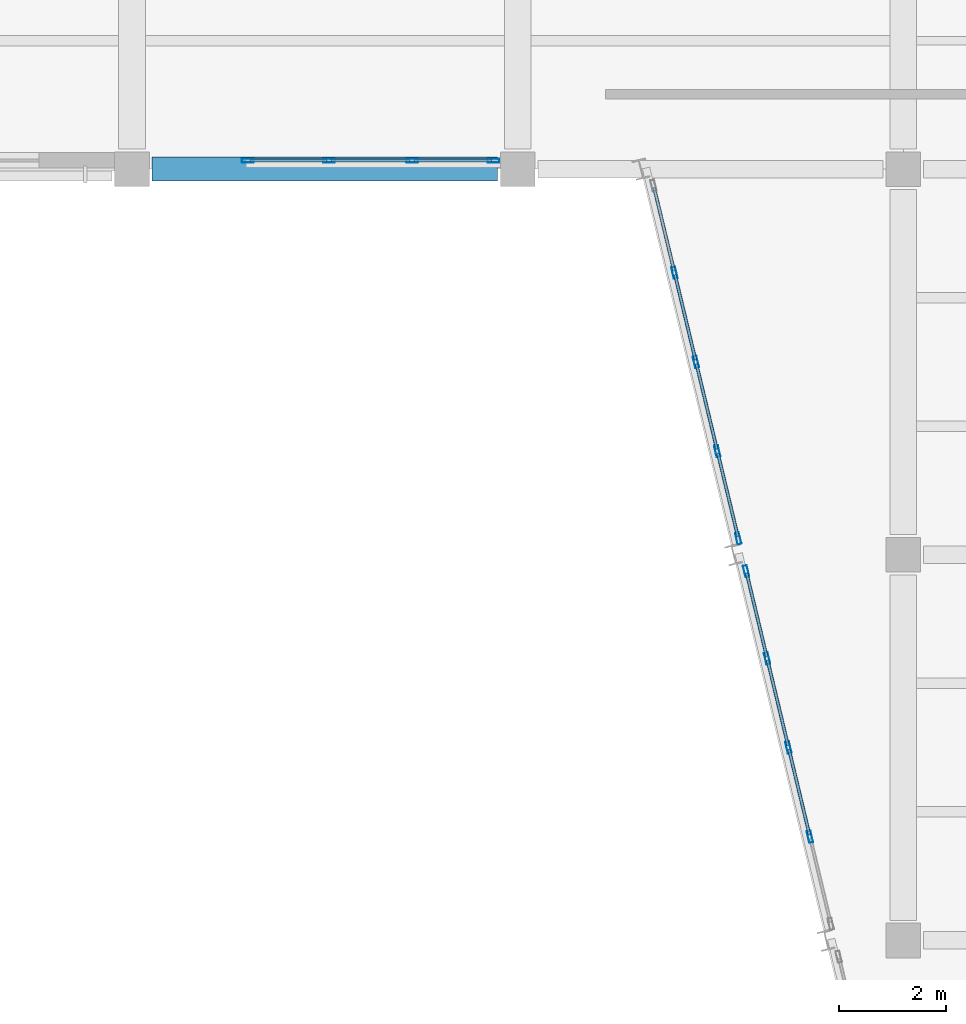
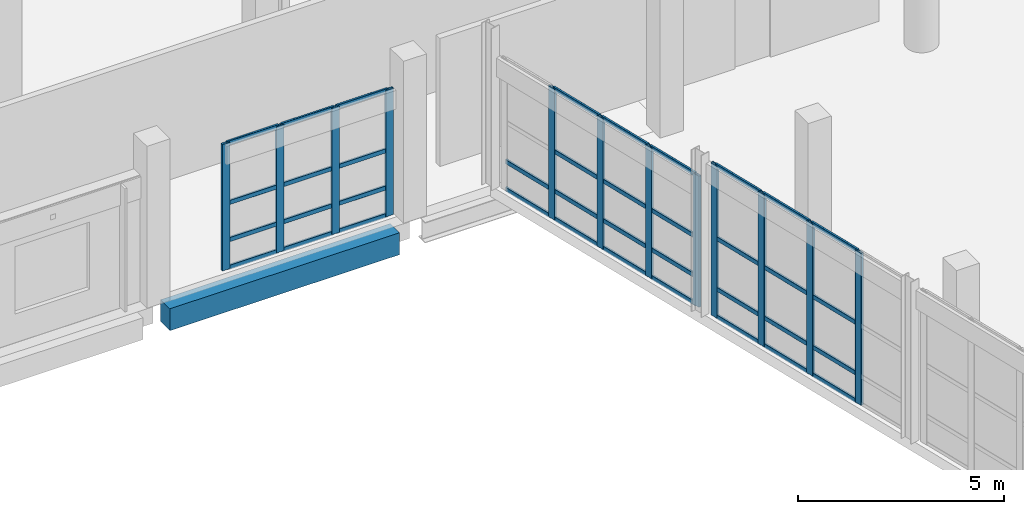
# One storey, part 57 of 127: 50 members, 1 beam, 3 elements without a shape of their own.
"""IFC4 building model written with IfcOpenShell, lengths in metres."""

from ifc_helpers import new_model, si_unit, direction, frame, origin, origin_2d, place, context, subcontext, project, spatial, rectangle, hollow_rectangle, extrude, material, material_profile, profile_set, type_object, element, aggregate, save


model = new_model("IFC4")

# Units and contexts
model_context = context("Model", 3, precision=1e-05, world=origin(), true_north=direction((0.0, 1.0)))
body_context = subcontext(model_context, "Body", "Model", "MODEL_VIEW")
ifc_project = project(units=[si_unit("LENGTHUNIT", "METRE"), si_unit("AREAUNIT", "SQUARE_METRE"), si_unit("VOLUMEUNIT", "CUBIC_METRE"), si_unit("PLANEANGLEUNIT", "RADIAN"), si_unit("MASSUNIT", "GRAM", prefix="KILO")], contexts=[model_context])

# Site, building, storey
site_placement = place(None, origin())
site = spatial("IfcSite", under=ifc_project, at=site_placement, CompositionType="ELEMENT")
building_placement = place(site_placement, origin())
building = spatial("IfcBuilding", under=site, at=building_placement, Name="Kalmorath City Hall", CompositionType="ELEMENT")
storey_placement = place(building_placement, frame((0.0, 0.0, 5.39990234375)))
storey = spatial("IfcBuildingStorey", under=building, at=storey_placement, Name="L01", CompositionType="ELEMENT", Elevation=5.39990234375)

# Beam
ifc_material_1 = material(Name="Concrete C40/50", Category="concrete")
ifc_material_profile_1 = material_profile(ifc_material_1, rectangle(XDim=0.449951171875, YDim=0.64990234375, at=origin_2d()), Name="RC-BM-450X650")
ifc_profile_set_1 = profile_set([ifc_material_profile_1], Name="Concrete C40/50")
beam_type = type_object("IfcBeamType", Name="Concrete spandrel beam 450x650", PredefinedType="SPANDREL", material=ifc_profile_set_1)
beam_placement = place(storey_placement, frame((115.574951171875, 93.60009765625, -0.64892578125), z_axis=(1.0, 0.0, 0.0), x_axis=(0.0, 1.0, 0.0)))
element("IfcBeam", 1, at=beam_placement, inside=storey, type_object=beam_type, Name="L01 girder CB5 X17-18/14", PredefinedType="SPANDREL", context=body_context, shape_type="SweptSolid", body=[
    extrude(rectangle(XDim=0.449951171875, YDim=0.64990234375, at=origin_2d()), origin(), (0.0, 0.0, 1.0), 6.449951171875),
])

# Curtain wall, members
ifc_material_2 = material(Name="Anodised aluminium and laminated glass", Category="aluminium")
curtain_wall_type_1 = type_object("IfcCurtainWallType", Name="Unitised hurricane curtain wall 6849x4520 M1650", PredefinedType="NOTDEFINED", material=ifc_material_2)
curtain_wall_1_placement = place(storey_placement, origin())
curtain_wall_1 = element("IfcCurtainWall", 2, at=curtain_wall_1_placement, inside=storey, type_object=curtain_wall_type_1, Name="L01 curtain wall CW-68X45M16 #99", PredefinedType="NOTDEFINED")
ifc_material_3 = material(Name="Anodised aluminium framing", Category="aluminium")
ifc_material_profile_2 = material_profile(ifc_material_3, hollow_rectangle(XDim=0.06005859375, YDim=0.1298828125, WallThickness=0.00341796875, InnerFilletRadius=0.00341796875, OuterFilletRadius=0.007080078125, at=origin_2d()), Name="ALU-TRN-130X60X3.5")
ifc_profile_set_2 = profile_set([ifc_material_profile_2], Name="Anodised aluminium framing")
member_type_1 = type_object("IfcMemberType", Name="Curtain-wall courtyard transom 130x60", PredefinedType="USERDEFINED", material=ifc_profile_set_2)
member_1_placement = place(storey_placement, frame((127.84814453125, 81.17138671875, 0.030029296875), z_axis=(-0.233508300868, 0.972354808404, 0.0), x_axis=(-0.972354808404, -0.233508300868, 0.0)))
member_1 = element("IfcMember", 3, at=member_1_placement, type_object=member_type_1, Name="CW-68X45M16 transom 2.1", ObjectType="TRANSOM", PredefinedType="USERDEFINED", context=body_context, shape_type="SweptSolid", body=[
    extrude(hollow_rectangle(XDim=0.06005859375, YDim=0.1298828125, WallThickness=0.00341796875, InnerFilletRadius=0.00341796875, OuterFilletRadius=0.007080078125, at=origin_2d()), origin(), (0.0, 0.0, 1.0), 1.63720703125),
])
member_2_placement = place(storey_placement, frame((127.84814453125, 81.17138671875, 0.85009765625), z_axis=(-0.233508300868, 0.972354808404, 0.0), x_axis=(-0.972354808404, -0.233508300868, 0.0)))
member_2 = element("IfcMember", 4, at=member_2_placement, type_object=member_type_1, Name="CW-68X45M16 transom 2.2", ObjectType="TRANSOM", PredefinedType="USERDEFINED", context=body_context, shape_type="SweptSolid", body=[
    extrude(hollow_rectangle(XDim=0.06005859375, YDim=0.1298828125, WallThickness=0.00341796875, InnerFilletRadius=0.00341796875, OuterFilletRadius=0.007080078125, at=origin_2d()), origin(), (0.0, 0.0, 1.0), 1.63720703125),
])
member_3_placement = place(storey_placement, frame((127.84814453125, 81.17138671875, 2.35009765625), z_axis=(-0.233508300868, 0.972354808404, 0.0), x_axis=(-0.972354808404, -0.233508300868, 0.0)))
member_3 = element("IfcMember", 5, at=member_3_placement, type_object=member_type_1, Name="CW-68X45M16 transom 2.3", ObjectType="TRANSOM", PredefinedType="USERDEFINED", context=body_context, shape_type="SweptSolid", body=[
    extrude(hollow_rectangle(XDim=0.06005859375, YDim=0.1298828125, WallThickness=0.00341796875, InnerFilletRadius=0.00341796875, OuterFilletRadius=0.007080078125, at=origin_2d()), origin(), (0.0, 0.0, 1.0), 1.63720703125),
])
member_4_placement = place(storey_placement, frame((127.84814453125, 81.17138671875, 4.489990234375), z_axis=(-0.233508300868, 0.972354808404, 0.0), x_axis=(-0.972354808404, -0.233508300868, 0.0)))
member_4 = element("IfcMember", 6, at=member_4_placement, type_object=member_type_1, Name="CW-68X45M16 transom 2.4", ObjectType="TRANSOM", PredefinedType="USERDEFINED", context=body_context, shape_type="SweptSolid", body=[
    extrude(hollow_rectangle(XDim=0.06005859375, YDim=0.1298828125, WallThickness=0.00341796875, InnerFilletRadius=0.00341796875, OuterFilletRadius=0.007080078125, at=origin_2d()), origin(), (0.0, 0.0, 1.0), 1.63720703125),
])
member_5_placement = place(storey_placement, frame((127.4482421875, 82.83642578125, 0.030029296875), z_axis=(-0.233367312665, 0.972388655518, 0.0), x_axis=(-0.972388655518, -0.233367312665, 0.0)))
member_5 = element("IfcMember", 7, at=member_5_placement, type_object=member_type_1, Name="CW-68X45M16 transom 3.1", ObjectType="TRANSOM", PredefinedType="USERDEFINED", context=body_context, shape_type="SweptSolid", body=[
    extrude(hollow_rectangle(XDim=0.06005859375, YDim=0.1298828125, WallThickness=0.00341796875, InnerFilletRadius=0.00341796875, OuterFilletRadius=0.007080078125, at=origin_2d()), origin(), (0.0, 0.0, 1.0), 1.63720703125),
])
member_6_placement = place(storey_placement, frame((127.4482421875, 82.83642578125, 0.85009765625), z_axis=(-0.233367312665, 0.972388655518, 0.0), x_axis=(-0.972388655518, -0.233367312665, 0.0)))
member_6 = element("IfcMember", 8, at=member_6_placement, type_object=member_type_1, Name="CW-68X45M16 transom 3.2", ObjectType="TRANSOM", PredefinedType="USERDEFINED", context=body_context, shape_type="SweptSolid", body=[
    extrude(hollow_rectangle(XDim=0.06005859375, YDim=0.1298828125, WallThickness=0.00341796875, InnerFilletRadius=0.00341796875, OuterFilletRadius=0.007080078125, at=origin_2d()), origin(), (0.0, 0.0, 1.0), 1.63720703125),
])
member_7_placement = place(storey_placement, frame((127.4482421875, 82.83642578125, 2.35009765625), z_axis=(-0.233367312665, 0.972388655518, 0.0), x_axis=(-0.972388655518, -0.233367312665, 0.0)))
member_7 = element("IfcMember", 9, at=member_7_placement, type_object=member_type_1, Name="CW-68X45M16 transom 3.3", ObjectType="TRANSOM", PredefinedType="USERDEFINED", context=body_context, shape_type="SweptSolid", body=[
    extrude(hollow_rectangle(XDim=0.06005859375, YDim=0.1298828125, WallThickness=0.00341796875, InnerFilletRadius=0.00341796875, OuterFilletRadius=0.007080078125, at=origin_2d()), origin(), (0.0, 0.0, 1.0), 1.63720703125),
])
member_8_placement = place(storey_placement, frame((127.4482421875, 82.83642578125, 4.489990234375), z_axis=(-0.233367312665, 0.972388655518, 0.0), x_axis=(-0.972388655518, -0.233367312665, 0.0)))
member_8 = element("IfcMember", 10, at=member_8_placement, type_object=member_type_1, Name="CW-68X45M16 transom 3.4", ObjectType="TRANSOM", PredefinedType="USERDEFINED", context=body_context, shape_type="SweptSolid", body=[
    extrude(hollow_rectangle(XDim=0.06005859375, YDim=0.1298828125, WallThickness=0.00341796875, InnerFilletRadius=0.00341796875, OuterFilletRadius=0.007080078125, at=origin_2d()), origin(), (0.0, 0.0, 1.0), 1.63720703125),
])
member_9_placement = place(storey_placement, frame((127.048583984375, 84.50146484375, 0.030029296875), z_axis=(-0.233476838675, 0.972362363423, 0.0), x_axis=(-0.972362363423, -0.233476838675, 0.0)))
member_9 = element("IfcMember", 11, at=member_9_placement, type_object=member_type_1, Name="CW-68X45M16 transom 4.1", ObjectType="TRANSOM", PredefinedType="USERDEFINED", context=body_context, shape_type="SweptSolid", body=[
    extrude(hollow_rectangle(XDim=0.06005859375, YDim=0.1298828125, WallThickness=0.00341796875, InnerFilletRadius=0.00341796875, OuterFilletRadius=0.007080078125, at=origin_2d()), origin(), (0.0, 0.0, 1.0), 1.599853515625),
])
member_10_placement = place(storey_placement, frame((127.048583984375, 84.50146484375, 0.85009765625), z_axis=(-0.233476838675, 0.972362363423, 0.0), x_axis=(-0.972362363423, -0.233476838675, 0.0)))
member_10 = element("IfcMember", 12, at=member_10_placement, type_object=member_type_1, Name="CW-68X45M16 transom 4.2", ObjectType="TRANSOM", PredefinedType="USERDEFINED", context=body_context, shape_type="SweptSolid", body=[
    extrude(hollow_rectangle(XDim=0.06005859375, YDim=0.1298828125, WallThickness=0.00341796875, InnerFilletRadius=0.00341796875, OuterFilletRadius=0.007080078125, at=origin_2d()), origin(), (0.0, 0.0, 1.0), 1.599853515625),
])
member_11_placement = place(storey_placement, frame((127.048583984375, 84.50146484375, 2.35009765625), z_axis=(-0.233476838675, 0.972362363423, 0.0), x_axis=(-0.972362363423, -0.233476838675, 0.0)))
member_11 = element("IfcMember", 13, at=member_11_placement, type_object=member_type_1, Name="CW-68X45M16 transom 4.3", ObjectType="TRANSOM", PredefinedType="USERDEFINED", context=body_context, shape_type="SweptSolid", body=[
    extrude(hollow_rectangle(XDim=0.06005859375, YDim=0.1298828125, WallThickness=0.00341796875, InnerFilletRadius=0.00341796875, OuterFilletRadius=0.007080078125, at=origin_2d()), origin(), (0.0, 0.0, 1.0), 1.599853515625),
])
member_12_placement = place(storey_placement, frame((127.048583984375, 84.50146484375, 4.489990234375), z_axis=(-0.233476838675, 0.972362363423, 0.0), x_axis=(-0.972362363423, -0.233476838675, 0.0)))
member_12 = element("IfcMember", 14, at=member_12_placement, type_object=member_type_1, Name="CW-68X45M16 transom 4.4", ObjectType="TRANSOM", PredefinedType="USERDEFINED", context=body_context, shape_type="SweptSolid", body=[
    extrude(hollow_rectangle(XDim=0.06005859375, YDim=0.1298828125, WallThickness=0.00341796875, InnerFilletRadius=0.00341796875, OuterFilletRadius=0.007080078125, at=origin_2d()), origin(), (0.0, 0.0, 1.0), 1.599853515625),
])

ifc_material_4 = material(Name="Anodised aluminium and laminated glass", Category="aluminium")
curtain_wall_type_2 = type_object("IfcCurtainWallType", Name="Unitised hurricane curtain wall 6849x3889 M1650", PredefinedType="NOTDEFINED", material=ifc_material_4)
curtain_wall_2_placement = place(storey_placement, origin())
curtain_wall_2 = element("IfcCurtainWall", 15, at=curtain_wall_2_placement, inside=storey, type_object=curtain_wall_type_2, Name="L01 curtain wall CW-68X39M16 #100", PredefinedType="NOTDEFINED")
member_13_placement = place(storey_placement, frame((126.510498046875, 86.742919921875, 0.030029296875), z_axis=(-0.233476838675, 0.972362363423, 0.0), x_axis=(-0.972362363423, -0.233476838675, 0.0)))
member_13 = element("IfcMember", 16, at=member_13_placement, type_object=member_type_1, Name="CW-68X39M16 transom 1.1", ObjectType="TRANSOM", PredefinedType="USERDEFINED", context=body_context, shape_type="SweptSolid", body=[
    extrude(hollow_rectangle(XDim=0.06005859375, YDim=0.1298828125, WallThickness=0.00341796875, InnerFilletRadius=0.00341796875, OuterFilletRadius=0.007080078125, at=origin_2d()), origin(), (0.0, 0.0, 1.0), 1.599853515625),
])
member_14_placement = place(storey_placement, frame((126.510498046875, 86.742919921875, 0.85009765625), z_axis=(-0.233476838675, 0.972362363423, 0.0), x_axis=(-0.972362363423, -0.233476838675, 0.0)))
member_14 = element("IfcMember", 17, at=member_14_placement, type_object=member_type_1, Name="CW-68X39M16 transom 1.2", ObjectType="TRANSOM", PredefinedType="USERDEFINED", context=body_context, shape_type="SweptSolid", body=[
    extrude(hollow_rectangle(XDim=0.06005859375, YDim=0.1298828125, WallThickness=0.00341796875, InnerFilletRadius=0.00341796875, OuterFilletRadius=0.007080078125, at=origin_2d()), origin(), (0.0, 0.0, 1.0), 1.599853515625),
])
member_15_placement = place(storey_placement, frame((126.510498046875, 86.742919921875, 2.022216796875), z_axis=(-0.233476838675, 0.972362363423, 0.0), x_axis=(-0.972362363423, -0.233476838675, 0.0)))
member_15 = element("IfcMember", 18, at=member_15_placement, type_object=member_type_1, Name="CW-68X39M16 transom 1.3", ObjectType="TRANSOM", PredefinedType="USERDEFINED", context=body_context, shape_type="SweptSolid", body=[
    extrude(hollow_rectangle(XDim=0.06005859375, YDim=0.1298828125, WallThickness=0.00341796875, InnerFilletRadius=0.00341796875, OuterFilletRadius=0.007080078125, at=origin_2d()), origin(), (0.0, 0.0, 1.0), 1.599853515625),
])
member_16_placement = place(storey_placement, frame((126.510498046875, 86.742919921875, 3.859130859375), z_axis=(-0.233476838675, 0.972362363423, 0.0), x_axis=(-0.972362363423, -0.233476838675, 0.0)))
member_16 = element("IfcMember", 19, at=member_16_placement, type_object=member_type_1, Name="CW-68X39M16 transom 1.4", ObjectType="TRANSOM", PredefinedType="USERDEFINED", context=body_context, shape_type="SweptSolid", body=[
    extrude(hollow_rectangle(XDim=0.06005859375, YDim=0.1298828125, WallThickness=0.00341796875, InnerFilletRadius=0.00341796875, OuterFilletRadius=0.007080078125, at=origin_2d()), origin(), (0.0, 0.0, 1.0), 1.599853515625),
])
member_17_placement = place(storey_placement, frame((126.119384765625, 88.37158203125, 0.030029296875), z_axis=(-0.233367312665, 0.972388655518, 0.0), x_axis=(-0.972388655518, -0.233367312665, 0.0)))
member_17 = element("IfcMember", 20, at=member_17_placement, type_object=member_type_1, Name="CW-68X39M16 transom 2.1", ObjectType="TRANSOM", PredefinedType="USERDEFINED", context=body_context, shape_type="SweptSolid", body=[
    extrude(hollow_rectangle(XDim=0.06005859375, YDim=0.1298828125, WallThickness=0.00341796875, InnerFilletRadius=0.00341796875, OuterFilletRadius=0.007080078125, at=origin_2d()), origin(), (0.0, 0.0, 1.0), 1.63720703125),
])
member_18_placement = place(storey_placement, frame((126.119384765625, 88.37158203125, 0.85009765625), z_axis=(-0.233367312665, 0.972388655518, 0.0), x_axis=(-0.972388655518, -0.233367312665, 0.0)))
member_18 = element("IfcMember", 21, at=member_18_placement, type_object=member_type_1, Name="CW-68X39M16 transom 2.2", ObjectType="TRANSOM", PredefinedType="USERDEFINED", context=body_context, shape_type="SweptSolid", body=[
    extrude(hollow_rectangle(XDim=0.06005859375, YDim=0.1298828125, WallThickness=0.00341796875, InnerFilletRadius=0.00341796875, OuterFilletRadius=0.007080078125, at=origin_2d()), origin(), (0.0, 0.0, 1.0), 1.63720703125),
])
member_19_placement = place(storey_placement, frame((126.119384765625, 88.37158203125, 2.022216796875), z_axis=(-0.233367312665, 0.972388655518, 0.0), x_axis=(-0.972388655518, -0.233367312665, 0.0)))
member_19 = element("IfcMember", 22, at=member_19_placement, type_object=member_type_1, Name="CW-68X39M16 transom 2.3", ObjectType="TRANSOM", PredefinedType="USERDEFINED", context=body_context, shape_type="SweptSolid", body=[
    extrude(hollow_rectangle(XDim=0.06005859375, YDim=0.1298828125, WallThickness=0.00341796875, InnerFilletRadius=0.00341796875, OuterFilletRadius=0.007080078125, at=origin_2d()), origin(), (0.0, 0.0, 1.0), 1.63720703125),
])
member_20_placement = place(storey_placement, frame((126.119384765625, 88.37158203125, 3.859130859375), z_axis=(-0.233367312665, 0.972388655518, 0.0), x_axis=(-0.972388655518, -0.233367312665, 0.0)))
member_20 = element("IfcMember", 23, at=member_20_placement, type_object=member_type_1, Name="CW-68X39M16 transom 2.4", ObjectType="TRANSOM", PredefinedType="USERDEFINED", context=body_context, shape_type="SweptSolid", body=[
    extrude(hollow_rectangle(XDim=0.06005859375, YDim=0.1298828125, WallThickness=0.00341796875, InnerFilletRadius=0.00341796875, OuterFilletRadius=0.007080078125, at=origin_2d()), origin(), (0.0, 0.0, 1.0), 1.63720703125),
])
member_21_placement = place(storey_placement, frame((125.7197265625, 90.036376953125, 0.030029296875), z_axis=(-0.233508300868, 0.972354808404, 0.0), x_axis=(-0.972354808404, -0.233508300868, 0.0)))
member_21 = element("IfcMember", 24, at=member_21_placement, type_object=member_type_1, Name="CW-68X39M16 transom 3.1", ObjectType="TRANSOM", PredefinedType="USERDEFINED", context=body_context, shape_type="SweptSolid", body=[
    extrude(hollow_rectangle(XDim=0.06005859375, YDim=0.1298828125, WallThickness=0.00341796875, InnerFilletRadius=0.00341796875, OuterFilletRadius=0.007080078125, at=origin_2d()), origin(), (0.0, 0.0, 1.0), 1.63720703125),
])
member_22_placement = place(storey_placement, frame((125.7197265625, 90.036376953125, 0.85009765625), z_axis=(-0.233508300868, 0.972354808404, 0.0), x_axis=(-0.972354808404, -0.233508300868, 0.0)))
member_22 = element("IfcMember", 25, at=member_22_placement, type_object=member_type_1, Name="CW-68X39M16 transom 3.2", ObjectType="TRANSOM", PredefinedType="USERDEFINED", context=body_context, shape_type="SweptSolid", body=[
    extrude(hollow_rectangle(XDim=0.06005859375, YDim=0.1298828125, WallThickness=0.00341796875, InnerFilletRadius=0.00341796875, OuterFilletRadius=0.007080078125, at=origin_2d()), origin(), (0.0, 0.0, 1.0), 1.63720703125),
])
member_23_placement = place(storey_placement, frame((125.7197265625, 90.036376953125, 2.022216796875), z_axis=(-0.233508300868, 0.972354808404, 0.0), x_axis=(-0.972354808404, -0.233508300868, 0.0)))
member_23 = element("IfcMember", 26, at=member_23_placement, type_object=member_type_1, Name="CW-68X39M16 transom 3.3", ObjectType="TRANSOM", PredefinedType="USERDEFINED", context=body_context, shape_type="SweptSolid", body=[
    extrude(hollow_rectangle(XDim=0.06005859375, YDim=0.1298828125, WallThickness=0.00341796875, InnerFilletRadius=0.00341796875, OuterFilletRadius=0.007080078125, at=origin_2d()), origin(), (0.0, 0.0, 1.0), 1.63720703125),
])
member_24_placement = place(storey_placement, frame((125.7197265625, 90.036376953125, 3.859130859375), z_axis=(-0.233508300868, 0.972354808404, 0.0), x_axis=(-0.972354808404, -0.233508300868, 0.0)))
member_24 = element("IfcMember", 27, at=member_24_placement, type_object=member_type_1, Name="CW-68X39M16 transom 3.4", ObjectType="TRANSOM", PredefinedType="USERDEFINED", context=body_context, shape_type="SweptSolid", body=[
    extrude(hollow_rectangle(XDim=0.06005859375, YDim=0.1298828125, WallThickness=0.00341796875, InnerFilletRadius=0.00341796875, OuterFilletRadius=0.007080078125, at=origin_2d()), origin(), (0.0, 0.0, 1.0), 1.63720703125),
])
member_25_placement = place(storey_placement, frame((125.320068359375, 91.701416015625, 0.030029296875), z_axis=(-0.233476838675, 0.972362363423, 0.0), x_axis=(-0.972362363423, -0.233476838675, 0.0)))
member_25 = element("IfcMember", 28, at=member_25_placement, type_object=member_type_1, Name="CW-68X39M16 transom 4.1", ObjectType="TRANSOM", PredefinedType="USERDEFINED", context=body_context, shape_type="SweptSolid", body=[
    extrude(hollow_rectangle(XDim=0.06005859375, YDim=0.1298828125, WallThickness=0.00341796875, InnerFilletRadius=0.00341796875, OuterFilletRadius=0.007080078125, at=origin_2d()), origin(), (0.0, 0.0, 1.0), 1.599853515625),
])
member_26_placement = place(storey_placement, frame((125.320068359375, 91.701416015625, 0.85009765625), z_axis=(-0.233476838675, 0.972362363423, 0.0), x_axis=(-0.972362363423, -0.233476838675, 0.0)))
member_26 = element("IfcMember", 29, at=member_26_placement, type_object=member_type_1, Name="CW-68X39M16 transom 4.2", ObjectType="TRANSOM", PredefinedType="USERDEFINED", context=body_context, shape_type="SweptSolid", body=[
    extrude(hollow_rectangle(XDim=0.06005859375, YDim=0.1298828125, WallThickness=0.00341796875, InnerFilletRadius=0.00341796875, OuterFilletRadius=0.007080078125, at=origin_2d()), origin(), (0.0, 0.0, 1.0), 1.599853515625),
])

ifc_material_5 = material(Name="Anodised aluminium and laminated glass", Category="aluminium")
curtain_wall_type_3 = type_object("IfcCurtainWallType", Name="Unitised hurricane curtain wall 4662x3751 M1650", PredefinedType="NOTDEFINED", material=ifc_material_5)
curtain_wall_3_placement = place(storey_placement, origin())
curtain_wall_3 = element("IfcCurtainWall", 30, at=curtain_wall_3_placement, inside=storey, type_object=curtain_wall_type_3, Name="L01 curtain wall CW-47X38M16 #101", PredefinedType="NOTDEFINED")
member_27_placement = place(storey_placement, frame((121.909912109375, 93.760009765625, 0.030029296875), z_axis=(-1.0, 0.0, 0.0), x_axis=(0.0, -1.0, 0.0)))
member_27 = element("IfcMember", 31, at=member_27_placement, type_object=member_type_1, Name="CW-47X38M16 transom 1.1", ObjectType="TRANSOM", PredefinedType="USERDEFINED", context=body_context, shape_type="SweptSolid", body=[
    extrude(hollow_rectangle(XDim=0.06005859375, YDim=0.1298828125, WallThickness=0.00341796875, InnerFilletRadius=0.00341796875, OuterFilletRadius=0.007080078125, at=origin_2d()), origin(), (0.0, 0.0, 1.0), 1.44140625),
])
member_28_placement = place(storey_placement, frame((121.909912109375, 93.760009765625, 0.85009765625), z_axis=(-1.0, 0.0, 0.0), x_axis=(0.0, -1.0, 0.0)))
member_28 = element("IfcMember", 32, at=member_28_placement, type_object=member_type_1, Name="CW-47X38M16 transom 1.2", ObjectType="TRANSOM", PredefinedType="USERDEFINED", context=body_context, shape_type="SweptSolid", body=[
    extrude(hollow_rectangle(XDim=0.06005859375, YDim=0.1298828125, WallThickness=0.00341796875, InnerFilletRadius=0.00341796875, OuterFilletRadius=0.007080078125, at=origin_2d()), origin(), (0.0, 0.0, 1.0), 1.44140625),
])
member_29_placement = place(storey_placement, frame((121.909912109375, 93.760009765625, 1.951171875), z_axis=(-1.0, 0.0, 0.0), x_axis=(0.0, -1.0, 0.0)))
member_29 = element("IfcMember", 33, at=member_29_placement, type_object=member_type_1, Name="CW-47X38M16 transom 1.3", ObjectType="TRANSOM", PredefinedType="USERDEFINED", context=body_context, shape_type="SweptSolid", body=[
    extrude(hollow_rectangle(XDim=0.06005859375, YDim=0.1298828125, WallThickness=0.00341796875, InnerFilletRadius=0.00341796875, OuterFilletRadius=0.007080078125, at=origin_2d()), origin(), (0.0, 0.0, 1.0), 1.44140625),
])
member_30_placement = place(storey_placement, frame((121.909912109375, 93.760009765625, 3.72119140625), z_axis=(-1.0, 0.0, 0.0), x_axis=(0.0, -1.0, 0.0)))
member_30 = element("IfcMember", 34, at=member_30_placement, type_object=member_type_1, Name="CW-47X38M16 transom 1.4", ObjectType="TRANSOM", PredefinedType="USERDEFINED", context=body_context, shape_type="SweptSolid", body=[
    extrude(hollow_rectangle(XDim=0.06005859375, YDim=0.1298828125, WallThickness=0.00341796875, InnerFilletRadius=0.00341796875, OuterFilletRadius=0.007080078125, at=origin_2d()), origin(), (0.0, 0.0, 1.0), 1.44140625),
])
member_31_placement = place(storey_placement, frame((120.393310546875, 93.760009765625, 0.030029296875), z_axis=(-1.0, 0.0, 0.0), x_axis=(0.0, -1.0, 0.0)))
member_31 = element("IfcMember", 35, at=member_31_placement, type_object=member_type_1, Name="CW-47X38M16 transom 2.1", ObjectType="TRANSOM", PredefinedType="USERDEFINED", context=body_context, shape_type="SweptSolid", body=[
    extrude(hollow_rectangle(XDim=0.06005859375, YDim=0.1298828125, WallThickness=0.00341796875, InnerFilletRadius=0.00341796875, OuterFilletRadius=0.007080078125, at=origin_2d()), origin(), (0.0, 0.0, 1.0), 1.47900390625),
])
member_32_placement = place(storey_placement, frame((120.393310546875, 93.760009765625, 0.85009765625), z_axis=(-1.0, 0.0, 0.0), x_axis=(0.0, -1.0, 0.0)))
member_32 = element("IfcMember", 36, at=member_32_placement, type_object=member_type_1, Name="CW-47X38M16 transom 2.2", ObjectType="TRANSOM", PredefinedType="USERDEFINED", context=body_context, shape_type="SweptSolid", body=[
    extrude(hollow_rectangle(XDim=0.06005859375, YDim=0.1298828125, WallThickness=0.00341796875, InnerFilletRadius=0.00341796875, OuterFilletRadius=0.007080078125, at=origin_2d()), origin(), (0.0, 0.0, 1.0), 1.47900390625),
])
member_33_placement = place(storey_placement, frame((120.393310546875, 93.760009765625, 1.951171875), z_axis=(-1.0, 0.0, 0.0), x_axis=(0.0, -1.0, 0.0)))
member_33 = element("IfcMember", 37, at=member_33_placement, type_object=member_type_1, Name="CW-47X38M16 transom 2.3", ObjectType="TRANSOM", PredefinedType="USERDEFINED", context=body_context, shape_type="SweptSolid", body=[
    extrude(hollow_rectangle(XDim=0.06005859375, YDim=0.1298828125, WallThickness=0.00341796875, InnerFilletRadius=0.00341796875, OuterFilletRadius=0.007080078125, at=origin_2d()), origin(), (0.0, 0.0, 1.0), 1.47900390625),
])
member_34_placement = place(storey_placement, frame((120.393310546875, 93.760009765625, 3.72119140625), z_axis=(-1.0, 0.0, 0.0), x_axis=(0.0, -1.0, 0.0)))
member_34 = element("IfcMember", 38, at=member_34_placement, type_object=member_type_1, Name="CW-47X38M16 transom 2.4", ObjectType="TRANSOM", PredefinedType="USERDEFINED", context=body_context, shape_type="SweptSolid", body=[
    extrude(hollow_rectangle(XDim=0.06005859375, YDim=0.1298828125, WallThickness=0.00341796875, InnerFilletRadius=0.00341796875, OuterFilletRadius=0.007080078125, at=origin_2d()), origin(), (0.0, 0.0, 1.0), 1.47900390625),
])
member_35_placement = place(storey_placement, frame((118.83935546875, 93.760009765625, 0.030029296875), z_axis=(-1.0, 0.0, 0.0), x_axis=(0.0, -1.0, 0.0)))
member_35 = element("IfcMember", 39, at=member_35_placement, type_object=member_type_1, Name="CW-47X38M16 transom 3.1", ObjectType="TRANSOM", PredefinedType="USERDEFINED", context=body_context, shape_type="SweptSolid", body=[
    extrude(hollow_rectangle(XDim=0.06005859375, YDim=0.1298828125, WallThickness=0.00341796875, InnerFilletRadius=0.00341796875, OuterFilletRadius=0.007080078125, at=origin_2d()), origin(), (0.0, 0.0, 1.0), 1.441650390625),
])
member_36_placement = place(storey_placement, frame((118.83935546875, 93.760009765625, 0.85009765625), z_axis=(-1.0, 0.0, 0.0), x_axis=(0.0, -1.0, 0.0)))
member_36 = element("IfcMember", 40, at=member_36_placement, type_object=member_type_1, Name="CW-47X38M16 transom 3.2", ObjectType="TRANSOM", PredefinedType="USERDEFINED", context=body_context, shape_type="SweptSolid", body=[
    extrude(hollow_rectangle(XDim=0.06005859375, YDim=0.1298828125, WallThickness=0.00341796875, InnerFilletRadius=0.00341796875, OuterFilletRadius=0.007080078125, at=origin_2d()), origin(), (0.0, 0.0, 1.0), 1.441650390625),
])
member_37_placement = place(storey_placement, frame((118.83935546875, 93.760009765625, 1.951171875), z_axis=(-1.0, 0.0, 0.0), x_axis=(0.0, -1.0, 0.0)))
member_37 = element("IfcMember", 41, at=member_37_placement, type_object=member_type_1, Name="CW-47X38M16 transom 3.3", ObjectType="TRANSOM", PredefinedType="USERDEFINED", context=body_context, shape_type="SweptSolid", body=[
    extrude(hollow_rectangle(XDim=0.06005859375, YDim=0.1298828125, WallThickness=0.00341796875, InnerFilletRadius=0.00341796875, OuterFilletRadius=0.007080078125, at=origin_2d()), origin(), (0.0, 0.0, 1.0), 1.441650390625),
])
member_38_placement = place(storey_placement, frame((118.83935546875, 93.760009765625, 3.72119140625), z_axis=(-1.0, 0.0, 0.0), x_axis=(0.0, -1.0, 0.0)))
member_38 = element("IfcMember", 42, at=member_38_placement, type_object=member_type_1, Name="CW-47X38M16 transom 3.4", ObjectType="TRANSOM", PredefinedType="USERDEFINED", context=body_context, shape_type="SweptSolid", body=[
    extrude(hollow_rectangle(XDim=0.06005859375, YDim=0.1298828125, WallThickness=0.00341796875, InnerFilletRadius=0.00341796875, OuterFilletRadius=0.007080078125, at=origin_2d()), origin(), (0.0, 0.0, 1.0), 1.441650390625),
])

# Member
ifc_material_6 = material(Name="Anodised aluminium framing", Category="aluminium")
ifc_material_profile_3 = material_profile(ifc_material_6, hollow_rectangle(XDim=0.074951171875, YDim=0.219970703125, WallThickness=0.00390625, InnerFilletRadius=0.00390625, OuterFilletRadius=0.008056640625, at=origin_2d()), Name="ALU-MUL-220X75X4")
ifc_profile_set_3 = profile_set([ifc_material_profile_3], Name="Anodised aluminium framing")
member_type_2 = type_object("IfcMemberType", Name="Curtain-wall primary mullion 220x75", PredefinedType="MULLION", material=ifc_profile_set_3)
member_39_placement = place(storey_placement, frame((127.85693359375, 81.135009765625, 0.0), z_axis=(0.0, 0.0, 1.0), x_axis=(-0.97236741933, -0.233455781305, 0.0)))
member_39 = element("IfcMember", 43, at=member_39_placement, type_object=member_type_2, Name="CW-68X45M16 mullion 2", PredefinedType="MULLION", context=body_context, shape_type="SweptSolid", body=[
    extrude(hollow_rectangle(XDim=0.074951171875, YDim=0.219970703125, WallThickness=0.00390625, InnerFilletRadius=0.00390625, OuterFilletRadius=0.008056640625, at=origin_2d()), origin(), (0.0, 0.0, 1.0), 4.52001953125),
])

member_40_placement = place(storey_placement, frame((127.45703125, 82.800048828125, 0.0), z_axis=(0.0, 0.0, 1.0), x_axis=(-0.97236741933, -0.233455781305, 0.0)))
member_40 = element("IfcMember", 44, at=member_40_placement, type_object=member_type_2, Name="CW-68X45M16 mullion 3", PredefinedType="MULLION", context=body_context, shape_type="SweptSolid", body=[
    extrude(hollow_rectangle(XDim=0.074951171875, YDim=0.219970703125, WallThickness=0.00390625, InnerFilletRadius=0.00390625, OuterFilletRadius=0.008056640625, at=origin_2d()), origin(), (0.0, 0.0, 1.0), 4.52001953125),
])

member_41_placement = place(storey_placement, frame((127.057373046875, 84.465087890625, 0.0), z_axis=(0.0, 0.0, 1.0), x_axis=(-0.97236741933, -0.233455781305, 0.0)))
member_41 = element("IfcMember", 45, at=member_41_placement, type_object=member_type_2, Name="CW-68X45M16 mullion 4", PredefinedType="MULLION", context=body_context, shape_type="SweptSolid", body=[
    extrude(hollow_rectangle(XDim=0.074951171875, YDim=0.219970703125, WallThickness=0.00390625, InnerFilletRadius=0.00390625, OuterFilletRadius=0.008056640625, at=origin_2d()), origin(), (0.0, 0.0, 1.0), 4.52001953125),
])

member_42_placement = place(storey_placement, frame((126.666259765625, 86.093505859375, 0.0), z_axis=(0.0, 0.0, 1.0), x_axis=(-0.97236741933, -0.233455781305, 0.0)))
member_42 = element("IfcMember", 46, at=member_42_placement, type_object=member_type_2, Name="CW-68X45M16 mullion 5", PredefinedType="MULLION", context=body_context, shape_type="SweptSolid", body=[
    extrude(hollow_rectangle(XDim=0.074951171875, YDim=0.219970703125, WallThickness=0.00390625, InnerFilletRadius=0.00390625, OuterFilletRadius=0.008056640625, at=origin_2d()), origin(), (0.0, 0.0, 1.0), 4.52001953125),
])

aggregate(curtain_wall_1, [member_39, member_40, member_41, member_42, member_1, member_2, member_3, member_4, member_5, member_6, member_7, member_8, member_9, member_10, member_11, member_12])

member_43_placement = place(storey_placement, frame((126.519287109375, 86.70654296875, 0.0), z_axis=(0.0, 0.0, 1.0), x_axis=(-0.97236741933, -0.233455781305, 0.0)))
member_43 = element("IfcMember", 47, at=member_43_placement, type_object=member_type_2, Name="CW-68X39M16 mullion 1", PredefinedType="MULLION", context=body_context, shape_type="SweptSolid", body=[
    extrude(hollow_rectangle(XDim=0.074951171875, YDim=0.219970703125, WallThickness=0.00390625, InnerFilletRadius=0.00390625, OuterFilletRadius=0.008056640625, at=origin_2d()), origin(), (0.0, 0.0, 1.0), 3.88916015625),
])

member_44_placement = place(storey_placement, frame((126.128173828125, 88.3349609375, 0.0), z_axis=(0.0, 0.0, 1.0), x_axis=(-0.97236741933, -0.233455781305, 0.0)))
member_44 = element("IfcMember", 48, at=member_44_placement, type_object=member_type_2, Name="CW-68X39M16 mullion 2", PredefinedType="MULLION", context=body_context, shape_type="SweptSolid", body=[
    extrude(hollow_rectangle(XDim=0.074951171875, YDim=0.219970703125, WallThickness=0.00390625, InnerFilletRadius=0.00390625, OuterFilletRadius=0.008056640625, at=origin_2d()), origin(), (0.0, 0.0, 1.0), 3.88916015625),
])

member_45_placement = place(storey_placement, frame((125.728515625, 90.0, 0.0), z_axis=(0.0, 0.0, 1.0), x_axis=(-0.97236741933, -0.233455781305, 0.0)))
member_45 = element("IfcMember", 49, at=member_45_placement, type_object=member_type_2, Name="CW-68X39M16 mullion 3", PredefinedType="MULLION", context=body_context, shape_type="SweptSolid", body=[
    extrude(hollow_rectangle(XDim=0.074951171875, YDim=0.219970703125, WallThickness=0.00390625, InnerFilletRadius=0.00390625, OuterFilletRadius=0.008056640625, at=origin_2d()), origin(), (0.0, 0.0, 1.0), 3.88916015625),
])

member_46_placement = place(storey_placement, frame((125.328857421875, 91.6650390625, 0.0), z_axis=(0.0, 0.0, 1.0), x_axis=(-0.97236741933, -0.233455781305, 0.0)))
member_46 = element("IfcMember", 50, at=member_46_placement, type_object=member_type_2, Name="CW-68X39M16 mullion 4", PredefinedType="MULLION", context=body_context, shape_type="SweptSolid", body=[
    extrude(hollow_rectangle(XDim=0.074951171875, YDim=0.219970703125, WallThickness=0.00390625, InnerFilletRadius=0.00390625, OuterFilletRadius=0.008056640625, at=origin_2d()), origin(), (0.0, 0.0, 1.0), 3.88916015625),
])

aggregate(curtain_wall_2, [member_43, member_44, member_45, member_46, member_13, member_14, member_15, member_16, member_17, member_18, member_19, member_20, member_21, member_22, member_23, member_24, member_25, member_26])

member_47_placement = place(storey_placement, frame((121.947509765625, 93.760009765625, 0.0), z_axis=(0.0, 0.0, 1.0), x_axis=(0.0, -1.0, 0.0)))
member_47 = element("IfcMember", 51, at=member_47_placement, type_object=member_type_2, Name="CW-47X38M16 mullion 1", PredefinedType="MULLION", context=body_context, shape_type="SweptSolid", body=[
    extrude(hollow_rectangle(XDim=0.074951171875, YDim=0.219970703125, WallThickness=0.00390625, InnerFilletRadius=0.00390625, OuterFilletRadius=0.008056640625, at=origin_2d()), origin(), (0.0, 0.0, 1.0), 3.7509765625),
])

member_48_placement = place(storey_placement, frame((120.430908203125, 93.760009765625, 0.0), z_axis=(0.0, 0.0, 1.0), x_axis=(0.0, -1.0, 0.0)))
member_48 = element("IfcMember", 52, at=member_48_placement, type_object=member_type_2, Name="CW-47X38M16 mullion 2", PredefinedType="MULLION", context=body_context, shape_type="SweptSolid", body=[
    extrude(hollow_rectangle(XDim=0.074951171875, YDim=0.219970703125, WallThickness=0.00390625, InnerFilletRadius=0.00390625, OuterFilletRadius=0.008056640625, at=origin_2d()), origin(), (0.0, 0.0, 1.0), 3.7509765625),
])

member_49_placement = place(storey_placement, frame((118.876708984375, 93.760009765625, 0.0), z_axis=(0.0, 0.0, 1.0), x_axis=(0.0, -1.0, 0.0)))
member_49 = element("IfcMember", 53, at=member_49_placement, type_object=member_type_2, Name="CW-47X38M16 mullion 3", PredefinedType="MULLION", context=body_context, shape_type="SweptSolid", body=[
    extrude(hollow_rectangle(XDim=0.074951171875, YDim=0.219970703125, WallThickness=0.00390625, InnerFilletRadius=0.00390625, OuterFilletRadius=0.008056640625, at=origin_2d()), origin(), (0.0, 0.0, 1.0), 3.7509765625),
])

member_50_placement = place(storey_placement, frame((117.360107421875, 93.760009765625, 0.0), z_axis=(0.0, 0.0, 1.0), x_axis=(0.0, -1.0, 0.0)))
member_50 = element("IfcMember", 54, at=member_50_placement, type_object=member_type_2, Name="CW-47X38M16 mullion 4", PredefinedType="MULLION", context=body_context, shape_type="SweptSolid", body=[
    extrude(hollow_rectangle(XDim=0.074951171875, YDim=0.219970703125, WallThickness=0.00390625, InnerFilletRadius=0.00390625, OuterFilletRadius=0.008056640625, at=origin_2d()), origin(), (0.0, 0.0, 1.0), 3.7509765625),
])

aggregate(curtain_wall_3, [member_47, member_48, member_49, member_50, member_27, member_28, member_29, member_30, member_31, member_32, member_33, member_34, member_35, member_36, member_37, member_38])

save(model, "model.ifc")
